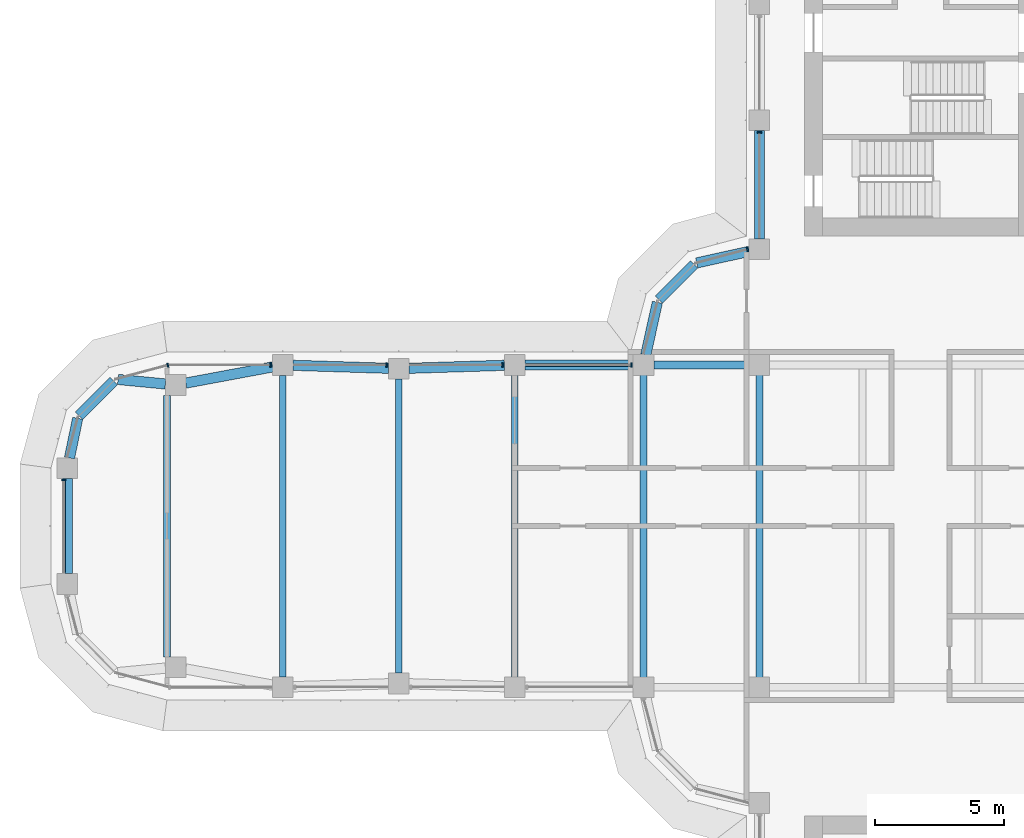
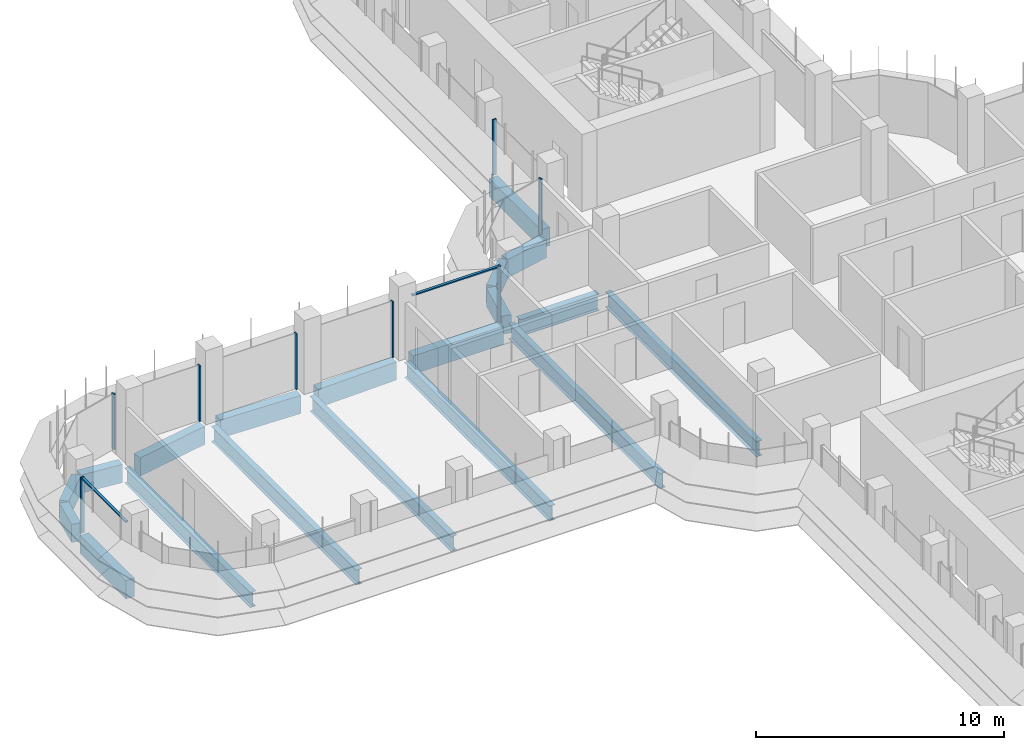
# One storey, part 6 of 20: 19 beams, 10 members, 5 elements without a shape of their own.
"""IFC4 building model written with IfcOpenShell, lengths in metres."""

from ifc_helpers import new_model, si_unit, direction, frame, origin, origin_2d, place, context, subcontext, project, spatial, polyline, rectangle, i_section, outline, extrude, source, transform, mapped, material, material_profile, profile_set, type_object, element, aggregate, save


model = new_model("IFC4")

# Units and contexts
model_context = context("Model", 3, precision=1e-05, world=origin(), true_north=direction((0.0, 1.0)))
body_context = subcontext(model_context, "Body", "Model", "MODEL_VIEW")
ifc_project = project(units=[si_unit("LENGTHUNIT", "METRE"), si_unit("AREAUNIT", "SQUARE_METRE"), si_unit("VOLUMEUNIT", "CUBIC_METRE"), si_unit("PLANEANGLEUNIT", "RADIAN"), si_unit("MASSUNIT", "GRAM", prefix="KILO")], contexts=[model_context])

# Site, building, storey
site_placement = place(None, origin())
site = spatial("IfcSite", under=ifc_project, at=site_placement, CompositionType="ELEMENT")
building_placement = place(site_placement, origin())
building = spatial("IfcBuilding", under=site, at=building_placement, Name="Zarbagh Exchange Tower", CompositionType="ELEMENT")
storey_placement = place(building_placement, frame((0.0, 0.0, 148.60009765625)))
storey = spatial("IfcBuildingStorey", under=building, at=storey_placement, Name="L35", CompositionType="ELEMENT", Elevation=148.60009765625)

# Beams
ifc_material_1 = material(Name="Steel ASTM A992 Gr 50", Category="steel")
ifc_material_profile_1 = material_profile(ifc_material_1, i_section(OverallWidth=0.26416015625, OverallDepth=0.749267578125, WebThickness=0.011962890625, FlangeThickness=0.015380859375, at=origin_2d()), Name="W30X90")
ifc_profile_set_1 = profile_set([ifc_material_profile_1], Name="Steel ASTM A992 Gr 50")
beam_type_1 = type_object("IfcBeamType", Name="Floor beam W30X90", PredefinedType="BEAM", material=ifc_profile_set_1)
for number, where, z_axis, x_axis, name in (
    (1, (-10.75, -6.10400390625, -0.524658203125), (0.0, 1.0, 0.0), (-1.0, 0.0, 0.0), "Steel floor beam"),
    (2, (-6.25, -6.10400390625, -0.524658203125), (0.0, 1.0, 0.0), (-1.0, 0.0, 0.0), "Steel floor beam"),
):
    element("IfcBeam", number, at=place(storey_placement, frame(where, z_axis=z_axis, x_axis=x_axis)), inside=storey, type_object=beam_type_1, Name=name, PredefinedType="BEAM", context=body_context, shape_type="SweptSolid", body=[
        extrude(i_section(OverallWidth=0.26416015625, OverallDepth=0.749267578125, WebThickness=0.011962890625, FlangeThickness=0.015380859375, at=origin_2d()), origin(), (0.0, 0.0, 1.0), 12.2080078125),
    ])
beam_1_placement = place(storey_placement, frame((-15.75, -5.85009765625, -0.524658203125), z_axis=(0.0, 1.0, 0.0), x_axis=(-1.0, 0.0, 0.0)))
element("IfcBeam", 3, at=beam_1_placement, inside=storey, type_object=beam_type_1, Name="Steel floor beam", PredefinedType="BEAM", context=body_context, shape_type="SweptSolid", body=[
    extrude(i_section(OverallWidth=0.26416015625, OverallDepth=0.749267578125, WebThickness=0.011962890625, FlangeThickness=0.015380859375, at=origin_2d()), origin(), (0.0, 0.0, 1.0), 11.7001953125),
])
beam_2_placement = place(storey_placement, frame((-20.25, -5.7099609375, -0.524658203125), z_axis=(0.0, 1.0, 0.0), x_axis=(-1.0, 0.0, 0.0)))
element("IfcBeam", 4, at=beam_2_placement, inside=storey, type_object=beam_type_1, Name="Steel floor beam", PredefinedType="BEAM", context=body_context, shape_type="SweptSolid", body=[
    extrude(i_section(OverallWidth=0.26416015625, OverallDepth=0.749267578125, WebThickness=0.011962890625, FlangeThickness=0.015380859375, at=origin_2d()), origin(), (0.0, 0.0, 1.0), 11.419921875),
])
beam_3_placement = place(storey_placement, frame((-24.75, -5.85009765625, -0.524658203125), z_axis=(0.0, 1.0, 0.0), x_axis=(-1.0, 0.0, 0.0)))
element("IfcBeam", 5, at=beam_3_placement, inside=storey, type_object=beam_type_1, Name="Steel floor beam", PredefinedType="BEAM", context=body_context, shape_type="SweptSolid", body=[
    extrude(i_section(OverallWidth=0.26416015625, OverallDepth=0.749267578125, WebThickness=0.011962890625, FlangeThickness=0.015380859375, at=origin_2d()), origin(), (0.0, 0.0, 1.0), 11.7001953125),
])
beam_4_placement = place(storey_placement, frame((-29.25, -5.074951171875, -0.524658203125), z_axis=(0.0, 1.0, 0.0), x_axis=(-1.0, 0.0, 0.0)))
element("IfcBeam", 6, at=beam_4_placement, inside=storey, type_object=beam_type_1, Name="Steel floor beam", PredefinedType="BEAM", context=body_context, shape_type="SweptSolid", body=[
    extrude(i_section(OverallWidth=0.26416015625, OverallDepth=0.749267578125, WebThickness=0.011962890625, FlangeThickness=0.015380859375, at=origin_2d()), origin(), (0.0, 0.0, 1.0), 10.14990234375),
])
ifc_material_profile_2 = material_profile(ifc_material_1, i_section(OverallWidth=0.2919921875, OverallDepth=0.835693359375, WebThickness=0.013916015625, FlangeThickness=0.018798828125, at=origin_2d()), Name="W33X118")
ifc_profile_set_2 = profile_set([ifc_material_profile_2], Name="Steel ASTM A992 Gr 50")
beam_type_2 = type_object("IfcBeamType", Name="Floor girder W33X118", PredefinedType="BEAM", material=ifc_profile_set_2)
beam_5_placement = place(storey_placement, frame((-10.35009765625, 6.25, -0.56787109375), z_axis=(1.0, 0.0, 0.0), x_axis=(0.0, 1.0, 0.0)))
element("IfcBeam", 7, at=beam_5_placement, inside=storey, type_object=beam_type_2, Name="Steel girder", PredefinedType="BEAM", context=body_context, shape_type="SweptSolid", body=[
    extrude(i_section(OverallWidth=0.2919921875, OverallDepth=0.835693359375, WebThickness=0.013916015625, FlangeThickness=0.018798828125, at=origin_2d()), origin(), (0.0, 0.0, 1.0), 3.7001953125),
])
ifc_material_2 = material(Name="Concrete C50/60", Category="concrete")
ifc_material_profile_3 = material_profile(ifc_material_2, rectangle(XDim=0.39990234375, YDim=0.89990234375, at=origin_2d()), Name="RC spandrel beam 400 x 900 C50/60")
ifc_profile_set_3 = profile_set([ifc_material_profile_3], Name="Concrete C50/60")
beam_type_3 = type_object("IfcBeamType", Name="RC spandrel beam 400 x 900 C50/60", PredefinedType="SPANDREL", material=ifc_profile_set_3)
beam_6_placement = place(storey_placement, frame((-33.110107421875, -1.85009765625, -0.60009765625), z_axis=(0.0, 1.0, 0.0), x_axis=(-1.0, 0.0, 0.0)))
element("IfcBeam", 8, at=beam_6_placement, inside=storey, type_object=beam_type_3, Name="RC spandrel beam", PredefinedType="SPANDREL", context=body_context, shape_type="SweptSolid", body=[
    extrude(rectangle(XDim=0.39990234375, YDim=0.89990234375, at=origin_2d()), origin(), (0.0, 0.0, 1.0), 3.7001953125),
])
beam_7_placement = place(storey_placement, frame((-33.029052734375, 2.6416015625, -0.60009765625), z_axis=(0.20216948151, 0.979350550491, 0.0), x_axis=(-0.979350550491, 0.20216948151, 0.0)))
element("IfcBeam", 9, at=beam_7_placement, inside=storey, type_object=beam_type_3, Name="RC spandrel beam", PredefinedType="SPANDREL", context=body_context, shape_type="SweptSolid", body=[
    extrude(rectangle(XDim=0.39990234375, YDim=0.89990234375, at=origin_2d()), origin(), (0.0, 0.0, 1.0), 1.573486328125),
])
beam_8_placement = place(storey_placement, frame((-32.656494140625, 4.283447265625, -0.60009765625), z_axis=(0.707106781187, 0.707106781187, 0.0), x_axis=(-0.707106781187, 0.707106781187, 0.0)))
element("IfcBeam", 10, at=beam_8_placement, inside=storey, type_object=beam_type_3, Name="RC spandrel beam", PredefinedType="SPANDREL", context=body_context, shape_type="SweptSolid", body=[
    extrude(rectangle(XDim=0.39990234375, YDim=0.89990234375, at=origin_2d()), origin(), (0.0, 0.0, 1.0), 1.9072265625),
])
beam_9_placement = place(storey_placement, frame((-31.147216796875, 5.689697265625, -0.60009765625), z_axis=(0.995435353267, -0.095438239015, 0.0), x_axis=(0.095438239015, 0.995435353267, 0.0)))
element("IfcBeam", 11, at=beam_9_placement, inside=storey, type_object=beam_type_3, Name="RC spandrel beam", PredefinedType="SPANDREL", context=body_context, shape_type="SweptSolid", body=[
    extrude(rectangle(XDim=0.39990234375, YDim=0.89990234375, at=origin_2d()), origin(), (0.0, 0.0, 1.0), 1.849609375),
])
beam_10_placement = place(storey_placement, frame((-28.514892578125, 5.54833984375, -0.60009765625), z_axis=(0.983069862768, 0.183231124313, 0.0), x_axis=(-0.183231124313, 0.983069862768, 0.0)))
element("IfcBeam", 12, at=beam_10_placement, inside=storey, type_object=beam_type_3, Name="RC spandrel beam", PredefinedType="SPANDREL", context=body_context, shape_type="SweptSolid", body=[
    extrude(rectangle(XDim=0.39990234375, YDim=0.89990234375, at=origin_2d()), origin(), (0.0, 0.0, 1.0), 3.4296875),
])
for number, where, z_axis, x_axis, name in (
    (13, (-24.35009765625, 6.237548828125, -0.60009765625), (0.999515416033, -0.031127690444, 0.0), (0.031127690444, 0.999515416033, 0.0), "RC spandrel beam"),
    (14, (-19.85009765625, 6.122314453125, -0.60009765625), (0.999515416033, 0.031127690444, 0.0), (-0.031127690444, 0.999515416033, 0.0), "RC spandrel beam"),
):
    element("IfcBeam", number, at=place(storey_placement, frame(where, z_axis=z_axis, x_axis=x_axis)), inside=storey, type_object=beam_type_3, Name=name, PredefinedType="SPANDREL", context=body_context, shape_type="SweptSolid", body=[
        extrude(rectangle(XDim=0.39990234375, YDim=0.89990234375, at=origin_2d()), origin(), (0.0, 0.0, 1.0), 3.701904296875),
    ])
beam_11_placement = place(storey_placement, frame((-15.35009765625, 6.25, -0.60009765625), z_axis=(1.0, 0.0, 0.0), x_axis=(0.0, 1.0, 0.0)))
element("IfcBeam", 15, at=beam_11_placement, inside=storey, type_object=beam_type_3, Name="RC spandrel beam", PredefinedType="SPANDREL", context=body_context, shape_type="SweptSolid", body=[
    extrude(rectangle(XDim=0.39990234375, YDim=0.89990234375, at=origin_2d()), origin(), (0.0, 0.0, 1.0), 4.2001953125),
])
beam_12_placement = place(storey_placement, frame((-10.66357421875, 6.640625, -0.60009765625), z_axis=(0.216041061437, 0.976384278741, 0.0), x_axis=(-0.976384278741, 0.216041061437, 0.0)))
element("IfcBeam", 16, at=beam_12_placement, inside=storey, type_object=beam_type_3, Name="RC spandrel beam", PredefinedType="SPANDREL", context=body_context, shape_type="SweptSolid", body=[
    extrude(rectangle(XDim=0.39990234375, YDim=0.89990234375, at=origin_2d()), origin(), (0.0, 0.0, 1.0), 2.0927734375),
])
beam_13_placement = place(storey_placement, frame((-10.15771484375, 8.782470703125, -0.60009765625), z_axis=(0.707106781187, 0.707106781187, 0.0), x_axis=(-0.707106781187, 0.707106781187, 0.0)))
element("IfcBeam", 17, at=beam_13_placement, inside=storey, type_object=beam_type_3, Name="RC spandrel beam", PredefinedType="SPANDREL", context=body_context, shape_type="SweptSolid", body=[
    extrude(rectangle(XDim=0.39990234375, YDim=0.89990234375, at=origin_2d()), origin(), (0.0, 0.0, 1.0), 1.94482421875),
])
beam_14_placement = place(storey_placement, frame((-8.68408203125, 10.21142578125, -0.60009765625), z_axis=(0.976384278741, 0.216041061437, 0.0), x_axis=(-0.216041061437, 0.976384278741, 0.0)))
element("IfcBeam", 18, at=beam_14_placement, inside=storey, type_object=beam_type_3, Name="RC spandrel beam", PredefinedType="SPANDREL", context=body_context, shape_type="SweptSolid", body=[
    extrude(rectangle(XDim=0.39990234375, YDim=0.89990234375, at=origin_2d()), origin(), (0.0, 0.0, 1.0), 2.0927734375),
])
beam_15_placement = place(storey_placement, frame((-6.25, 11.14990234375, -0.60009765625), z_axis=(0.0, 1.0, 0.0), x_axis=(-1.0, 0.0, 0.0)))
element("IfcBeam", 19, at=beam_15_placement, inside=storey, type_object=beam_type_3, Name="RC spandrel beam", PredefinedType="SPANDREL", context=body_context, shape_type="SweptSolid", body=[
    extrude(rectangle(XDim=0.39990234375, YDim=0.89990234375, at=origin_2d()), origin(), (0.0, 0.0, 1.0), 4.2001953125),
])

# Curtain wall, member
ifc_material_3 = material(Name="Anodised aluminium frame and glazing", Category="aluminium")
curtain_wall_type = type_object("IfcCurtainWallType", Name="CWB Ribbon glazing, upper zones", PredefinedType="NOTDEFINED", material=ifc_material_3)
curtain_wall_1_placement = place(storey_placement, origin())
curtain_wall_1 = element("IfcCurtainWall", 20, at=curtain_wall_1_placement, inside=storey, type_object=curtain_wall_type, Name="CWB28 curtain wall", PredefinedType="NOTDEFINED")
ifc_material_4 = material(Name="Anodised aluminium frame", Category="aluminium")
member_type_1 = type_object("IfcMemberType", Name="MUB Mullion, anodised aluminium frame", PredefinedType="MULLION", material=ifc_material_4)
shared_shape_1 = source(origin(), body_context, "Body", "SweptSolid", [
    extrude(outline(polyline([(0.0, -0.080078125), (0.06005859375, -0.080078125), (0.06005859375, 0.080078125), (0.0, 0.080078125), (0.0, -0.080078125)])), origin(), (0.0, 0.0, 1.0), 2.75),
])
placement = place(storey_placement, origin())
member_1 = element("IfcMember", 21, at=placement, type_object=member_type_1, Name="CWB28 mullion 4.1", PredefinedType="MULLION", context=body_context, shape_type="MappedRepresentation", body=[
    mapped(shared_shape_1, transform((-6.25, 15.31005859375, 0.0), x_axis=(0.0, -1.0, 0.0), y_axis=(1.0, 0.0, 0.0), z_axis=(0.0, 0.0, 1.0))),
])
aggregate(curtain_wall_1, [member_1])

curtain_wall_2_placement = place(storey_placement, origin())
curtain_wall_2 = element("IfcCurtainWall", 22, at=curtain_wall_2_placement, inside=storey, type_object=curtain_wall_type, Name="CWB29 curtain wall", PredefinedType="NOTDEFINED")
member_2 = element("IfcMember", 23, at=placement, type_object=member_type_1, Name="CWB29 mullion 1.1", PredefinedType="MULLION", context=body_context, shape_type="MappedRepresentation", body=[
    mapped(shared_shape_1, transform((-6.68994140625, 10.74853515625, 0.0), x_axis=(-0.965924289636, -0.258824779902, 0.0), y_axis=(0.258824779902, -0.965924289636, 0.0), z_axis=(0.0, 0.0, 1.0))),
])
aggregate(curtain_wall_2, [member_2])

# Curtain wall, members
curtain_wall_3_placement = place(storey_placement, origin())
curtain_wall_3 = element("IfcCurtainWall", 24, at=curtain_wall_3_placement, inside=storey, type_object=curtain_wall_type, Name="CWB32 curtain wall", PredefinedType="NOTDEFINED")
member_3 = element("IfcMember", 25, at=placement, type_object=member_type_1, Name="CWB32 mullion 1.1", PredefinedType="MULLION", context=body_context, shape_type="MappedRepresentation", body=[
    mapped(shared_shape_1, transform((-11.18994140625, 6.25, 0.0), x_axis=(-1.0, 0.0, 0.0), y_axis=(0.0, -1.0, 0.0), z_axis=(0.0, 0.0, 1.0))),
])
member_4 = element("IfcMember", 26, at=placement, type_object=member_type_1, Name="CWB32 mullion 2.1", PredefinedType="MULLION", context=body_context, shape_type="MappedRepresentation", body=[
    mapped(shared_shape_1, transform((-16.18994140625, 6.25, 0.0), x_axis=(-1.0, 0.0, 0.0), y_axis=(0.0, -1.0, 0.0), z_axis=(0.0, 0.0, 1.0))),
])
member_5 = element("IfcMember", 27, at=placement, type_object=member_type_1, Name="CWB32 mullion 3.1", PredefinedType="MULLION", context=body_context, shape_type="MappedRepresentation", body=[
    mapped(shared_shape_1, transform((-20.68994140625, 6.25, 0.0), x_axis=(-1.0, 0.0, 0.0), y_axis=(0.0, -1.0, 0.0), z_axis=(0.0, 0.0, 1.0))),
])
member_6 = element("IfcMember", 28, at=placement, type_object=member_type_1, Name="CWB32 mullion 4.1", PredefinedType="MULLION", context=body_context, shape_type="MappedRepresentation", body=[
    mapped(shared_shape_1, transform((-25.18994140625, 6.25, 0.0), x_axis=(-1.0, 0.0, 0.0), y_axis=(0.0, -1.0, 0.0), z_axis=(0.0, 0.0, 1.0))),
])

# Curtain wall, member
curtain_wall_4_placement = place(storey_placement, origin())
curtain_wall_4 = element("IfcCurtainWall", 29, at=curtain_wall_4_placement, inside=storey, type_object=curtain_wall_type, Name="CWB33 curtain wall", PredefinedType="NOTDEFINED")
member_7 = element("IfcMember", 30, at=placement, type_object=member_type_1, Name="CWB33 mullion 1.1", PredefinedType="MULLION", context=body_context, shape_type="MappedRepresentation", body=[
    mapped(shared_shape_1, transform((-29.18408203125, 6.25, 0.0), x_axis=(-0.965924289636, -0.258824779902, 0.0), y_axis=(0.258824779902, -0.965924289636, 0.0), z_axis=(0.0, 0.0, 1.0))),
])
aggregate(curtain_wall_4, [member_7])

curtain_wall_5_placement = place(storey_placement, origin())
curtain_wall_5 = element("IfcCurtainWall", 31, at=curtain_wall_5_placement, inside=storey, type_object=curtain_wall_type, Name="CWB36 curtain wall", PredefinedType="NOTDEFINED")
member_8 = element("IfcMember", 32, at=placement, type_object=member_type_1, Name="CWB36 mullion 1.1", PredefinedType="MULLION", context=body_context, shape_type="MappedRepresentation", body=[
    mapped(shared_shape_1, transform((-33.25, 1.81005859375, 0.0), x_axis=(0.0, -1.0, 0.0), y_axis=(1.0, 0.0, 0.0), z_axis=(0.0, 0.0, 1.0))),
])

# Member
member_type_2 = type_object("IfcMemberType", Name="TRB Transom, anodised aluminium frame", PredefinedType="USERDEFINED", material=ifc_material_4)
shared_shape_2 = source(origin(), body_context, "Body", "SweptSolid", [
    extrude(outline(polyline([(-0.06005859375, -0.06005859375), (0.0, -0.06005859375), (0.0, 0.06005859375), (-0.06005859375, 0.06005859375), (-0.06005859375, -0.06005859375)])), origin(), (0.0, 0.0, 1.0), 4.06005859375),
])
member_9 = element("IfcMember", 33, at=placement, type_object=member_type_2, Name="CWB32 transom 1.1", ObjectType="TRANSOM", PredefinedType="USERDEFINED", context=body_context, shape_type="MappedRepresentation", body=[
    mapped(shared_shape_2, transform((-11.25, 6.25, 2.75), x_axis=(0.0, 0.0, 1.0), y_axis=(0.0, 1.0, 0.0), z_axis=(-1.0, 0.0, 0.0))),
])

aggregate(curtain_wall_3, [member_3, member_9, member_4, member_5, member_6])

shared_shape_3 = source(origin(), body_context, "Body", "SweptSolid", [
    extrude(outline(polyline([(-0.06005859375, -0.06005859375), (0.0, -0.06005859375), (0.0, 0.06005859375), (-0.06005859375, 0.06005859375), (-0.06005859375, -0.06005859375)])), origin(), (0.0, 0.0, 1.0), 3.56005859375),
])
member_10 = element("IfcMember", 34, at=placement, type_object=member_type_2, Name="CWB36 transom 1.1", ObjectType="TRANSOM", PredefinedType="USERDEFINED", context=body_context, shape_type="MappedRepresentation", body=[
    mapped(shared_shape_3, transform((-33.25, 1.75, 2.75), x_axis=(0.0, 0.0, 1.0), y_axis=(-1.0, 0.0, 0.0), z_axis=(0.0, -1.0, 0.0))),
])

aggregate(curtain_wall_5, [member_8, member_10])

save(model, "model.ifc")
